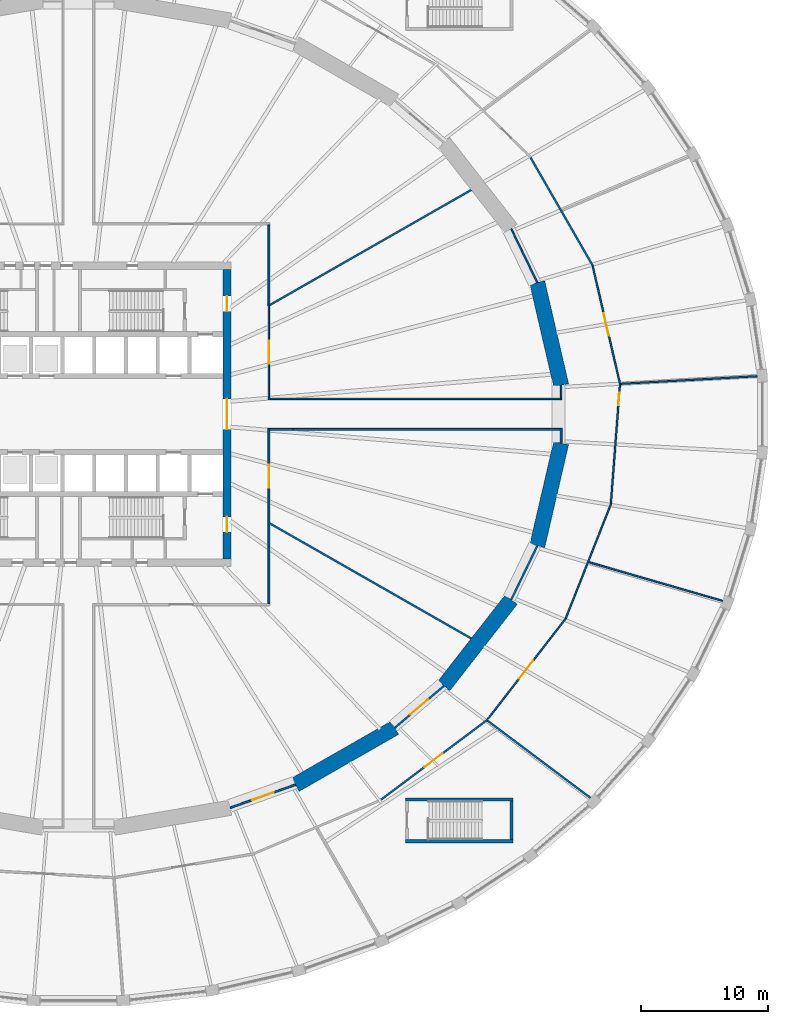
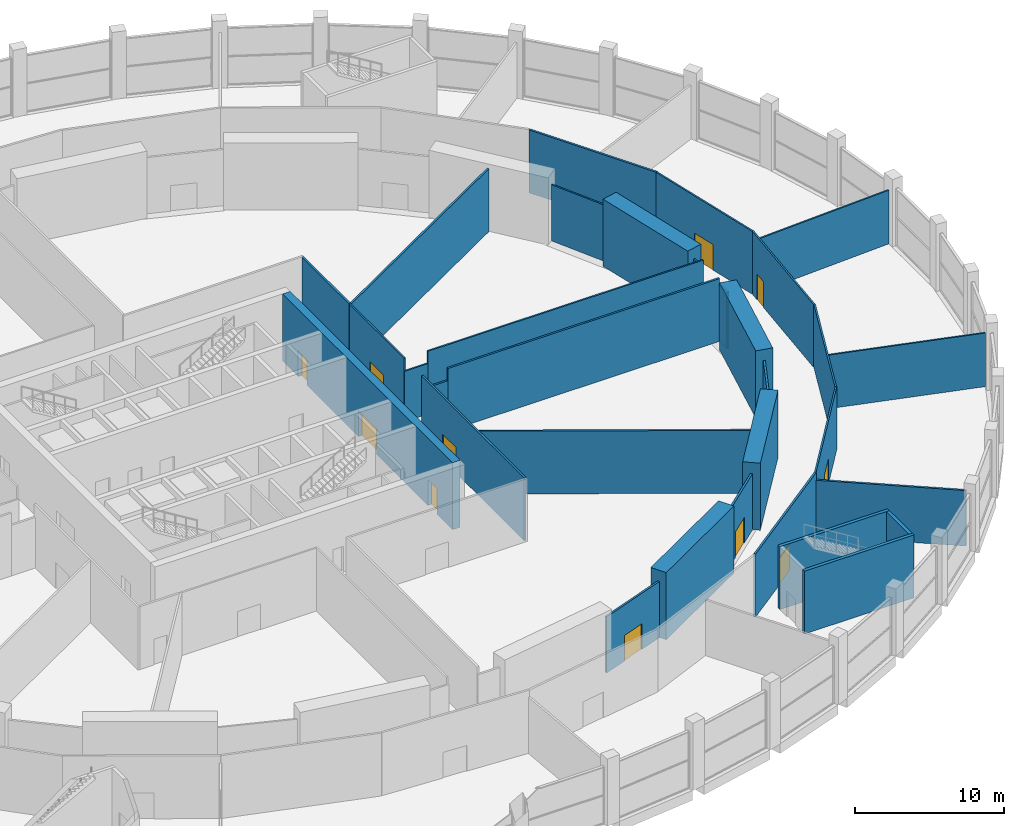
# One storey, part 23 of 29: 32 walls, 11 doors, 11 openings.
"""IFC4 building model written with IfcOpenShell, lengths in metres."""

from ifc_helpers import new_model, si_unit, direction, frame, frame_2d, origin, place, context, subcontext, project, spatial, polyline, rectangle, outline, extrude, material, layer, layer_set, type_object, element, fill, save


model = new_model("IFC4")

# Units and contexts
model_context = context("Model", 3, precision=1e-05, world=origin(), true_north=direction((0.0, 1.0)))
body_context = subcontext(model_context, "Body", "Model", "MODEL_VIEW")
ifc_project = project(units=[si_unit("LENGTHUNIT", "METRE"), si_unit("AREAUNIT", "SQUARE_METRE"), si_unit("VOLUMEUNIT", "CUBIC_METRE"), si_unit("PLANEANGLEUNIT", "RADIAN"), si_unit("MASSUNIT", "GRAM", prefix="KILO")], contexts=[model_context])

# Site, building, storey
site_placement = place(None, origin())
site = spatial("IfcSite", under=ifc_project, at=site_placement, CompositionType="ELEMENT")
building_placement = place(site_placement, origin())
building = spatial("IfcBuilding", under=site, at=building_placement, Name="Halqa Exchange Tower", CompositionType="ELEMENT")
storey_placement = place(building_placement, frame((0.0, 0.0, 12.5)))
storey = spatial("IfcBuildingStorey", under=building, at=storey_placement, Name="L02", CompositionType="ELEMENT", Elevation=12.5)

# Wall
ifc_material_1 = material(Name="Gypsum board")
ifc_layer_1 = layer(ifc_material_1, 0.14990234375)
ifc_layer_set_1 = layer_set([ifc_layer_1], Name="Gypsum board")
wall_type_1 = type_object("IfcWallType", Name="Acoustic partition 150", PredefinedType="PARTITIONING", material=ifc_layer_set_1)
wall_1_placement = place(storey_placement, frame((15.06005859375, 8.59423828125, 0.0), z_axis=(0.0, 0.0, 1.0), x_axis=(0.868344118251, 0.495962188376, 0.0)))
element("IfcWall", 1, at=wall_1_placement, inside=storey, type_object=wall_type_1, Name="L02-PWL-063", PredefinedType="PARTITIONING", context=body_context, shape_type="SweptSolid", body=[
    extrude(outline(polyline([(0.0, -0.074951171875), (18.308349609375, -0.074951171875), (18.286865234375, 0.074951171875), (0.0, 0.074951171875), (0.0, -0.074951171875)])), origin(), (0.0, 0.0, 1.0), 5.14990234375),
])

# Wall, opening, door
ifc_material_2 = material(Name="Fire-rated gypsum board")
ifc_layer_2 = layer(ifc_material_2, 0.14990234375)
ifc_layer_set_2 = layer_set([ifc_layer_2], Name="Fire-rated gypsum board")
wall_type_2 = type_object("IfcWallType", Name="Fire partition EI 60 150", PredefinedType="PARTITIONING", material=ifc_layer_set_2)
wall_2_placement = place(storey_placement, frame((11.966796875, -31.01123046875, 0.0), z_axis=(0.0, 0.0, 1.0), x_axis=(0.942814385805, 0.333318217204, 0.0)))
wall_2 = element("IfcWall", 2, at=wall_2_placement, inside=storey, type_object=wall_type_2, Name="L02-PWL-055", PredefinedType="PARTITIONING", context=body_context, shape_type="SweptSolid", body=[
    extrude(outline(polyline([(-0.012939453125, -0.074951171875), (5.448486328125, -0.074951171875), (5.421142578125, 0.074951171875), (0.012939453125, 0.074951171875), (-0.012939453125, -0.074951171875)])), origin(), (0.0, 0.0, 1.0), 4.60009765625),
])
opening_1_placement = place(wall_2_placement, frame((1.81884765625, 0.0, 0.0)))
opening_1 = element("IfcOpeningElement", 3, at=opening_1_placement, cuts=wall_2, Name="Opening L02-12", PredefinedType="OPENING", context=body_context, shape_type="SweptSolid", body=[
    extrude(rectangle(XDim=1.800048828125, YDim=2.10009765625, at=frame_2d((0.89990234375, 1.050048828125))), frame((0.0, 0.0869140625, 0.0), z_axis=(0.0, -1.0, 0.0), x_axis=(1.0, 0.0, 0.0)), (0.0, 0.0, 1.0), 0.173828125),
])
ifc_material_3 = material(Name="Steel fire door leaf", Category="steel")
door_type_1 = type_object("IfcDoorType", Name="Fire door FD30S double 1800 x 2100", OperationType="DOUBLE_DOOR_SINGLE_SWING", PredefinedType="DOOR", material=ifc_material_3)
door_1_placement = place(opening_1_placement, origin())
door_1 = element("IfcDoor", 4, at=door_1_placement, inside=storey, type_object=door_type_1, Name="L02-IDR-012", OperationType="DOUBLE_DOOR_SINGLE_SWING", OverallHeight=2.10009765625, OverallWidth=1.800048828125, PredefinedType="DOOR", context=body_context, shape_type="SweptSolid", body=[
    extrude(rectangle(XDim=1.800048828125, YDim=2.10009765625, at=frame_2d((0.89990234375, 1.050048828125))), frame((0.0, 0.02490234375, 0.0), z_axis=(0.0, -1.0, 0.0), x_axis=(1.0, 0.0, 0.0)), (0.0, 0.0, 1.0), 0.050048828125),
])
fill(opening_1, door_1)

wall_3_placement = place(storey_placement, frame((15.0, -14.925048828125, 0.0), z_axis=(0.0, 0.0, 1.0), x_axis=(0.0, 1.0, 0.0)))
wall_3 = element("IfcWall", 5, at=wall_3_placement, inside=storey, type_object=wall_type_2, Name="L02-PWL-059", PredefinedType="PARTITIONING", context=body_context, shape_type="SweptSolid", body=[
    extrude(rectangle(XDim=13.800048828125, YDim=0.14990234375, at=frame_2d((6.89990234375, 0.0))), origin(), (0.0, 0.0, 1.0), 5.14990234375),
])
opening_2_placement = place(wall_3_placement, frame((9.142578125, 0.0, 0.0)))
opening_2 = element("IfcOpeningElement", 6, at=opening_2_placement, cuts=wall_3, Name="Opening L02-14", PredefinedType="OPENING", context=body_context, shape_type="SweptSolid", body=[
    extrude(rectangle(XDim=1.800048828125, YDim=2.10009765625, at=frame_2d((0.89990234375, 1.050048828125))), frame((0.0, 0.0869140625, 0.0), z_axis=(0.0, -1.0, 0.0), x_axis=(1.0, 0.0, 0.0)), (0.0, 0.0, 1.0), 0.173828125),
])
door_2_placement = place(opening_2_placement, frame((1.800048828125, 0.0, 0.0), z_axis=(0.0, 0.0, 1.0), x_axis=(-1.0, 0.0, 0.0)))
door_2 = element("IfcDoor", 7, at=door_2_placement, inside=storey, type_object=door_type_1, Name="L02-IDR-014", OperationType="DOUBLE_DOOR_SINGLE_SWING", OverallHeight=2.10009765625, OverallWidth=1.800048828125, PredefinedType="DOOR", context=body_context, shape_type="SweptSolid", body=[
    extrude(rectangle(XDim=1.800048828125, YDim=2.10009765625, at=frame_2d((0.89990234375, 1.050048828125))), frame((0.0, 0.02490234375, 0.0), z_axis=(0.0, -1.0, 0.0), x_axis=(1.0, 0.0, 0.0)), (0.0, 0.0, 1.0), 0.050048828125),
])
fill(opening_2, door_2)

# Walls
wall_4_placement = place(storey_placement, frame((15.07421875, -8.602294921875, 0.0), z_axis=(0.0, 0.0, 1.0), x_axis=(0.868343386691, -0.495963469209, 0.0)))
element("IfcWall", 8, at=wall_4_placement, inside=storey, type_object=wall_type_2, Name="L02-PWL-060", PredefinedType="PARTITIONING", context=body_context, shape_type="SweptSolid", body=[
    extrude(outline(polyline([(0.042724609375, -0.074951171875), (18.270751953125, -0.074951171875), (18.292236328125, 0.074951171875), (-0.042724609375, 0.074951171875), (0.042724609375, -0.074951171875)])), origin(), (0.0, 0.0, 1.0), 5.14990234375),
])
wall_5_placement = place(storey_placement, frame((15.0, 14.925048828125, 0.0), z_axis=(0.0, 0.0, 1.0), x_axis=(0.0, -1.0, 0.0)))
element("IfcWall", 9, at=wall_5_placement, inside=storey, type_object=wall_type_2, Name="L02-PWL-064", PredefinedType="PARTITIONING", context=body_context, shape_type="SweptSolid", body=[
    extrude(rectangle(XDim=6.364990234375, YDim=0.14990234375, at=frame_2d((3.1826171875, 0.0))), origin(), (0.0, 0.0, 1.0), 5.14990234375),
])

# Wall, opening, door
wall_6_placement = place(storey_placement, frame((24.931884765625, -24.70849609375, 0.0), z_axis=(0.0, 0.0, 1.0), x_axis=(0.760084552743, 0.649824185978, 0.0)))
wall_6 = element("IfcWall", 10, at=wall_6_placement, inside=storey, type_object=wall_type_2, Name="L02-PWL-069", PredefinedType="PARTITIONING", context=body_context, shape_type="SweptSolid", body=[
    extrude(outline(polyline([(-0.01416015625, -0.074951171875), (5.09033203125, -0.074951171875), (5.0595703125, 0.074951171875), (0.01416015625, 0.074951171875), (-0.01416015625, -0.074951171875)])), origin(), (0.0, 0.0, 1.0), 4.60009765625),
])
opening_3_placement = place(wall_6_placement, frame((1.63671875, 0.0, 0.0)))
opening_3 = element("IfcOpeningElement", 11, at=opening_3_placement, cuts=wall_6, Name="Opening L02-13", PredefinedType="OPENING", context=body_context, shape_type="SweptSolid", body=[
    extrude(rectangle(XDim=1.800048828125, YDim=2.10009765625, at=frame_2d((0.89990234375, 1.050048828125))), frame((0.0, 0.0869140625, 0.0), z_axis=(0.0, -1.0, 0.0), x_axis=(1.0, 0.0, 0.0)), (0.0, 0.0, 1.0), 0.173828125),
])
door_3_placement = place(opening_3_placement, origin())
door_3 = element("IfcDoor", 12, at=door_3_placement, inside=storey, type_object=door_type_1, Name="L02-IDR-013", OperationType="DOUBLE_DOOR_SINGLE_SWING", OverallHeight=2.10009765625, OverallWidth=1.800048828125, PredefinedType="DOOR", context=body_context, shape_type="SweptSolid", body=[
    extrude(rectangle(XDim=1.800048828125, YDim=2.10009765625, at=frame_2d((0.89990234375, 1.050048828125))), frame((0.0, 0.02490234375, 0.0), z_axis=(0.0, -1.0, 0.0), x_axis=(1.0, 0.0, 0.0)), (0.0, 0.0, 1.0), 0.050048828125),
])
fill(opening_3, door_3)

wall_7_placement = place(storey_placement, frame((32.184326171875, -24.09912109375, 0.0), z_axis=(0.0, 0.0, 1.0), x_axis=(-0.799200371747, -0.601064693523, 0.0)))
wall_7 = element("IfcWall", 13, at=wall_7_placement, inside=storey, type_object=wall_type_2, Name="L02-PWL-072", PredefinedType="PARTITIONING", context=body_context, shape_type="SweptSolid", body=[
    extrude(rectangle(XDim=10.41455078125, YDim=0.14990234375, at=frame_2d((5.207275390625, 0.0))), origin(), (0.0, 0.0, 1.0), 5.14990234375),
])
opening_4_placement = place(wall_7_placement, frame((4.366943359375, 0.0, 0.0)))
opening_4 = element("IfcOpeningElement", 14, at=opening_4_placement, cuts=wall_7, Name="Opening L02-18", PredefinedType="OPENING", context=body_context, shape_type="SweptSolid", body=[
    extrude(rectangle(XDim=1.800048828125, YDim=2.10009765625, at=frame_2d((0.89990234375, 1.050048828125))), frame((0.0, 0.0869140625, 0.0), z_axis=(0.0, -1.0, 0.0), x_axis=(1.0, 0.0, 0.0)), (0.0, 0.0, 1.0), 0.173828125),
])
door_4_placement = place(opening_4_placement, origin())
door_4 = element("IfcDoor", 15, at=door_4_placement, inside=storey, type_object=door_type_1, Name="L02-IDR-018", OperationType="DOUBLE_DOOR_SINGLE_SWING", OverallHeight=2.10009765625, OverallWidth=1.800048828125, PredefinedType="DOOR", context=body_context, shape_type="SweptSolid", body=[
    extrude(rectangle(XDim=1.800048828125, YDim=2.10009765625, at=frame_2d((0.89990234375, 1.050048828125))), frame((0.0, 0.02490234375, 0.0), z_axis=(0.0, -1.0, 0.0), x_axis=(1.0, 0.0, 0.0)), (0.0, 0.0, 1.0), 0.050048828125),
])
fill(opening_4, door_4)

# Walls
wall_8_placement = place(storey_placement, frame((32.219970703125, -24.1474609375, 0.0), z_axis=(0.0, 0.0, 1.0), x_axis=(0.800470661187, -0.599371938431, 0.0)))
element("IfcWall", 16, at=wall_8_placement, inside=storey, type_object=wall_type_2, Name="L02-PWL-073", PredefinedType="PARTITIONING", context=body_context, shape_type="SweptSolid", body=[
    extrude(outline(polyline([(0.0, -0.074951171875), (10.129150390625, -0.074951171875), (10.152587890625, 0.074951171875), (0.0, 0.074951171875), (0.0, -0.074951171875)])), origin(), (0.0, 0.0, 1.0), 4.550048828125),
])
wall_9_placement = place(storey_placement, frame((34.1005859375, -14.608642578125, 0.0), z_axis=(0.0, 0.0, 1.0), x_axis=(0.436102687495, 0.899896908518, 0.0)))
element("IfcWall", 17, at=wall_9_placement, inside=storey, type_object=wall_type_2, Name="L02-PWL-074", PredefinedType="PARTITIONING", context=body_context, shape_type="SweptSolid", body=[
    extrude(outline(polyline([(-0.01611328125, -0.074951171875), (4.71630859375, -0.074951171875), (4.68212890625, 0.074951171875), (0.01611328125, 0.074951171875), (-0.01611328125, -0.074951171875)])), origin(), (0.0, 0.0, 1.0), 4.60009765625),
])
wall_10_placement = place(storey_placement, frame((35.623779296875, 20.21630859375, 0.0), z_axis=(0.0, 0.0, 1.0), x_axis=(0.49865472402, -0.866800707321, 0.0)))
element("IfcWall", 18, at=wall_10_placement, inside=storey, type_object=wall_type_2, Name="L02-PWL-075", PredefinedType="PARTITIONING", context=body_context, shape_type="SweptSolid", body=[
    extrude(rectangle(XDim=9.867919921875, YDim=0.14990234375, at=frame_2d((4.93408203125, 0.0))), origin(), (0.0, 0.0, 1.0), 5.14990234375),
])
wall_11_placement = place(storey_placement, frame((38.030029296875, -2.267578125, 0.0), z_axis=(0.0, 0.0, 1.0), x_axis=(0.0, 1.0, 0.0)))
element("IfcWall", 19, at=wall_11_placement, inside=storey, type_object=wall_type_2, Name="L02-PWL-077", PredefinedType="PARTITIONING", context=body_context, shape_type="SweptSolid", body=[
    extrude(outline(polyline([(-0.017333984375, -0.074951171875), (1.142578125, -0.074951171875), (1.142578125, 0.074951171875), (0.017333984375, 0.074951171875), (-0.017333984375, -0.074951171875)])), origin(), (0.0, 0.0, 1.0), 4.60009765625),
])
wall_12_placement = place(storey_placement, frame((37.955078125, -1.199951171875, 0.0), z_axis=(0.0, 0.0, 1.0), x_axis=(-1.0, 0.0, 0.0)))
element("IfcWall", 20, at=wall_12_placement, inside=storey, type_object=wall_type_2, Name="L02-PWL-078", PredefinedType="PARTITIONING", context=body_context, shape_type="SweptSolid", body=[
    extrude(rectangle(XDim=21.037109375, YDim=0.14990234375, at=frame_2d((10.5185546875, 0.0))), origin(), (0.0, 0.0, 1.0), 5.14990234375),
])
wall_13_placement = place(storey_placement, frame((16.91796875, -1.199951171875, 0.0), z_axis=(0.0, 0.0, 1.0), x_axis=(-1.0, 0.0, 0.0)))
element("IfcWall", 21, at=wall_13_placement, inside=storey, type_object=wall_type_2, Name="L02-PWL-091", PredefinedType="PARTITIONING", context=body_context, shape_type="SweptSolid", body=[
    extrude(rectangle(XDim=1.843017578125, YDim=0.14990234375, at=frame_2d((0.92138671875, 0.0))), origin(), (0.0, 0.0, 1.0), 4.14208984375),
])
ifc_material_4 = material(Name="Fire-rated glazing", Category="glass")
ifc_layer_3 = layer(ifc_material_4, 0.1201171875)
ifc_layer_set_3 = layer_set([ifc_layer_3], Name="Fire-rated glazing")
wall_type_3 = type_object("IfcWallType", Name="Glazed fire partition EI 60 120", PredefinedType="PARTITIONING", material=ifc_layer_set_3)
wall_14_placement = place(storey_placement, frame((14.93994140625, 1.199951171875, 0.0), z_axis=(0.0, 0.0, 1.0), x_axis=(1.0, 0.0, 0.0)))
element("IfcWall", 22, at=wall_14_placement, inside=storey, type_object=wall_type_3, Name="L02-PWL-061", PredefinedType="PARTITIONING", context=body_context, shape_type="SweptSolid", body=[
    extrude(rectangle(XDim=1.80029296875, YDim=0.1201171875, at=frame_2d((0.900146484375, 0.0))), origin(), (0.0, 0.0, 1.0), 4.14208984375),
])

# Wall, opening, door
wall_15_placement = place(storey_placement, frame((15.0, 8.646484375, 0.0), z_axis=(0.0, 0.0, 1.0), x_axis=(0.0, -1.0, 0.0)))
wall_15 = element("IfcWall", 23, at=wall_15_placement, inside=storey, type_object=wall_type_3, Name="L02-PWL-062", PredefinedType="PARTITIONING", context=body_context, shape_type="SweptSolid", body=[
    extrude(rectangle(XDim=7.386474609375, YDim=0.1201171875, at=frame_2d((3.693359375, 0.0))), origin(), (0.0, 0.0, 1.0), 5.14990234375),
])
opening_5_placement = place(wall_15_placement, frame((2.864013671875, 0.0, 0.0)))
opening_5 = element("IfcOpeningElement", 24, at=opening_5_placement, cuts=wall_15, Name="Opening L02-01", PredefinedType="OPENING", context=body_context, shape_type="SweptSolid", body=[
    extrude(rectangle(XDim=1.800048828125, YDim=2.10009765625, at=frame_2d((0.89990234375, 1.050048828125))), frame((0.0, 0.072021484375, 0.0), z_axis=(0.0, -1.0, 0.0), x_axis=(1.0, 0.0, 0.0)), (0.0, 0.0, 1.0), 0.14404296875),
])
door_5_placement = place(opening_5_placement, origin())
door_5 = element("IfcDoor", 25, at=door_5_placement, inside=storey, type_object=door_type_1, Name="L02-IDR-001", OperationType="DOUBLE_DOOR_SINGLE_SWING", OverallHeight=2.10009765625, OverallWidth=1.800048828125, PredefinedType="DOOR", context=body_context, shape_type="SweptSolid", body=[
    extrude(rectangle(XDim=1.800048828125, YDim=2.10009765625, at=frame_2d((0.89990234375, 1.050048828125))), frame((0.0, 0.02490234375, 0.0), z_axis=(0.0, -1.0, 0.0), x_axis=(1.0, 0.0, 0.0)), (0.0, 0.0, 1.0), 0.050048828125),
])
fill(opening_5, door_5)

# Walls
wall_16_placement = place(storey_placement, frame((36.14990234375, 10.3798828125, 0.0), z_axis=(0.0, 0.0, 1.0), x_axis=(-0.436936398764, 0.899492403212, 0.0)))
element("IfcWall", 26, at=wall_16_placement, inside=storey, type_object=wall_type_3, Name="L02-PWL-076", PredefinedType="PARTITIONING", context=body_context, shape_type="SweptSolid", body=[
    extrude(outline(polyline([(-0.013671875, -0.06005859375), (4.710693359375, -0.06005859375), (4.685302734375, 0.06005859375), (0.013671875, 0.06005859375), (-0.013671875, -0.06005859375)])), origin(), (0.0, 0.0, 1.0), 4.60009765625),
])
wall_17_placement = place(storey_placement, frame((38.030029296875, 1.260009765625, 0.0), z_axis=(0.0, 0.0, 1.0), x_axis=(0.0, 1.0, 0.0)))
element("IfcWall", 27, at=wall_17_placement, inside=storey, type_object=wall_type_3, Name="L02-PWL-079", PredefinedType="PARTITIONING", context=body_context, shape_type="SweptSolid", body=[
    extrude(outline(polyline([(0.0, -0.06005859375), (1.021484375, -0.06005859375), (0.99365234375, 0.06005859375), (0.0, 0.06005859375), (0.0, -0.06005859375)])), origin(), (0.0, 0.0, 1.0), 4.60009765625),
])

# Wall, opening, door
wall_18_placement = place(storey_placement, frame((38.410888671875, -16.094482421875, 0.0), z_axis=(0.0, 0.0, 1.0), x_axis=(-0.614343896728, -0.78903838725, 0.0)))
wall_18 = element("IfcWall", 28, at=wall_18_placement, inside=storey, type_object=wall_type_3, Name="L02-PWL-081", PredefinedType="PARTITIONING", context=body_context, shape_type="SweptSolid", body=[
    extrude(rectangle(XDim=10.140380859375, YDim=0.1201171875, at=frame_2d((5.0703125, 0.0))), origin(), (0.0, 0.0, 1.0), 5.14990234375),
])
opening_6_placement = place(wall_18_placement, frame((4.220703125, 0.0, 0.0)))
opening_6 = element("IfcOpeningElement", 29, at=opening_6_placement, cuts=wall_18, Name="Opening L02-28", PredefinedType="OPENING", context=body_context, shape_type="SweptSolid", body=[
    extrude(rectangle(XDim=1.800048828125, YDim=2.10009765625, at=frame_2d((0.89990234375, 1.050048828125))), frame((0.0, 0.072021484375, 0.0), z_axis=(0.0, -1.0, 0.0), x_axis=(1.0, 0.0, 0.0)), (0.0, 0.0, 1.0), 0.14404296875),
])
door_6_placement = place(opening_6_placement, origin())
door_6 = element("IfcDoor", 30, at=door_6_placement, inside=storey, type_object=door_type_1, Name="L02-IDR-028", OperationType="DOUBLE_DOOR_SINGLE_SWING", OverallHeight=2.10009765625, OverallWidth=1.800048828125, PredefinedType="DOOR", context=body_context, shape_type="SweptSolid", body=[
    extrude(rectangle(XDim=1.800048828125, YDim=2.10009765625, at=frame_2d((0.89990234375, 1.050048828125))), frame((0.0, 0.02490234375, 0.0), z_axis=(0.0, -1.0, 0.0), x_axis=(1.0, 0.0, 0.0)), (0.0, 0.0, 1.0), 0.050048828125),
])
fill(opening_6, door_6)

# Walls
wall_19_placement = place(storey_placement, frame((38.3916015625, -16.08056640625, 0.0), z_axis=(0.0, 0.0, 1.0), x_axis=(0.368546722622, 0.929609226097, 0.0)))
element("IfcWall", 31, at=wall_19_placement, inside=storey, type_object=wall_type_3, Name="L02-PWL-082", PredefinedType="PARTITIONING", context=body_context, shape_type="SweptSolid", body=[
    extrude(rectangle(XDim=9.71533203125, YDim=0.1201171875, at=frame_2d((4.857666015625, 0.0))), origin(), (0.0, 0.0, 1.0), 5.14990234375),
])
wall_20_placement = place(storey_placement, frame((40.208984375, -11.656982421875, 0.0), z_axis=(0.0, 0.0, 1.0), x_axis=(0.960434781241, -0.278504992743, 0.0)))
element("IfcWall", 32, at=wall_20_placement, inside=storey, type_object=wall_type_3, Name="L02-PWL-083", PredefinedType="PARTITIONING", context=body_context, shape_type="SweptSolid", body=[
    extrude(outline(polyline([(-0.005615234375, -0.06005859375), (10.98974609375, -0.06005859375), (11.0009765625, 0.06005859375), (0.005615234375, 0.06005859375), (-0.005615234375, -0.06005859375)])), origin(), (0.0, 0.0, 1.0), 4.39697265625),
])

# Wall, opening, door
wall_21_placement = place(storey_placement, frame((40.520751953125, 11.650390625, 0.0), z_axis=(0.0, 0.0, 1.0), x_axis=(0.226075864332, -0.974109697912, 0.0)))
wall_21 = element("IfcWall", 33, at=wall_21_placement, inside=storey, type_object=wall_type_3, Name="L02-PWL-085", PredefinedType="PARTITIONING", context=body_context, shape_type="SweptSolid", body=[
    extrude(rectangle(XDim=9.52685546875, YDim=0.1201171875, at=frame_2d((4.763427734375, 0.0))), origin(), (0.0, 0.0, 1.0), 5.14990234375),
])
opening_7_placement = place(wall_21_placement, frame((3.807373046875, 0.0, 0.0)))
opening_7 = element("IfcOpeningElement", 34, at=opening_7_placement, cuts=wall_21, Name="Opening L02-19", PredefinedType="OPENING", context=body_context, shape_type="SweptSolid", body=[
    extrude(rectangle(XDim=1.800048828125, YDim=2.10009765625, at=frame_2d((0.89990234375, 1.050048828125))), frame((0.0, 0.072021484375, 0.0), z_axis=(0.0, -1.0, 0.0), x_axis=(1.0, 0.0, 0.0)), (0.0, 0.0, 1.0), 0.14404296875),
])
door_7_placement = place(opening_7_placement, origin())
door_7 = element("IfcDoor", 35, at=door_7_placement, inside=storey, type_object=door_type_1, Name="L02-IDR-019", OperationType="DOUBLE_DOOR_SINGLE_SWING", OverallHeight=2.10009765625, OverallWidth=1.800048828125, PredefinedType="DOOR", context=body_context, shape_type="SweptSolid", body=[
    extrude(rectangle(XDim=1.800048828125, YDim=2.10009765625, at=frame_2d((0.89990234375, 1.050048828125))), frame((0.0, 0.02490234375, 0.0), z_axis=(0.0, -1.0, 0.0), x_axis=(1.0, 0.0, 0.0)), (0.0, 0.0, 1.0), 0.050048828125),
])
fill(opening_7, door_7)

wall_22_placement = place(storey_placement, frame((41.947021484375, -7.039794921875, 0.0), z_axis=(0.0, 0.0, 1.0), x_axis=(0.076437580216, 0.997074368506, 0.0)))
wall_22 = element("IfcWall", 36, at=wall_22_placement, inside=storey, type_object=wall_type_3, Name="L02-PWL-086", PredefinedType="PARTITIONING", context=body_context, shape_type="SweptSolid", body=[
    extrude(rectangle(XDim=9.51806640625, YDim=0.1201171875, at=frame_2d((4.759033203125, 0.0))), origin(), (0.0, 0.0, 1.0), 5.14990234375),
])
opening_8_placement = place(wall_22_placement, frame((7.7587890625, 0.0, 0.0)))
opening_8 = element("IfcOpeningElement", 37, at=opening_8_placement, cuts=wall_22, Name="Opening L02-29", PredefinedType="OPENING", context=body_context, shape_type="SweptSolid", body=[
    extrude(rectangle(XDim=1.0, YDim=2.10009765625, at=frame_2d((0.5, 1.050048828125))), frame((0.0, 0.072021484375, 0.0), z_axis=(0.0, -1.0, 0.0), x_axis=(1.0, 0.0, 0.0)), (0.0, 0.0, 1.0), 0.14404296875),
])
door_type_2 = type_object("IfcDoorType", Name="Fire door FD30S 1000 x 2100", OperationType="SINGLE_SWING_LEFT", PredefinedType="DOOR", material=ifc_material_3)
door_8_placement = place(opening_8_placement, frame((1.0, 0.0, 0.0), z_axis=(0.0, 0.0, 1.0), x_axis=(-1.0, 0.0, 0.0)))
door_8 = element("IfcDoor", 38, at=door_8_placement, inside=storey, type_object=door_type_2, Name="L02-IDR-029", OperationType="SINGLE_SWING_RIGHT", OverallHeight=2.10009765625, OverallWidth=1.0, PredefinedType="DOOR", context=body_context, shape_type="SweptSolid", body=[
    extrude(rectangle(XDim=1.0, YDim=2.10009765625, at=frame_2d((0.5, 1.050048828125))), frame((0.0, 0.02490234375, 0.0), z_axis=(0.0, -1.0, 0.0), x_axis=(1.0, 0.0, 0.0)), (0.0, 0.0, 1.0), 0.050048828125),
])
fill(opening_8, door_8)

# Walls
wall_23_placement = place(storey_placement, frame((53.48681640625, 2.991943359375, 0.0), z_axis=(0.0, 0.0, 1.0), x_axis=(-0.998454909458, -0.055567920423, 0.0)))
element("IfcWall", 39, at=wall_23_placement, inside=storey, type_object=wall_type_3, Name="L02-PWL-087", PredefinedType="PARTITIONING", context=body_context, shape_type="SweptSolid", body=[
    extrude(outline(polyline([(0.001220703125, -0.06005859375), (10.77294921875, -0.06005859375), (10.77294921875, 0.06005859375), (-0.001220703125, 0.06005859375), (0.001220703125, -0.06005859375)])), origin(), (0.0, 0.0, 1.0), 4.39697265625),
])
wall_24_placement = place(storey_placement, frame((16.740234375, 1.199951171875, 0.0), z_axis=(0.0, 0.0, 1.0), x_axis=(1.0, 0.0, 0.0)))
element("IfcWall", 40, at=wall_24_placement, inside=storey, type_object=wall_type_3, Name="L02-PWL-090", PredefinedType="PARTITIONING", context=body_context, shape_type="SweptSolid", body=[
    extrude(rectangle(XDim=21.349853515625, YDim=0.1201171875, at=frame_2d((10.6748046875, 0.0))), origin(), (0.0, 0.0, 1.0), 5.14990234375),
])

# Wall, openings, doors
ifc_material_5 = material(Name="Concrete C80/95", Category="concrete")
ifc_layer_4 = layer(ifc_material_5, 0.60009765625)
ifc_layer_set_4 = layer_set([ifc_layer_4], Name="Concrete C80/95")
wall_type_4 = type_object("IfcWallType", Name="RC core wall 600 C80/95", PredefinedType="SHEAR", material=ifc_layer_set_4)
wall_25_placement = place(storey_placement, frame((11.699951171875, -11.39990234375, 0.0), z_axis=(0.0, 0.0, 1.0), x_axis=(0.0, 1.0, 0.0)))
wall_25 = element("IfcWall", 41, at=wall_25_placement, inside=storey, type_object=wall_type_4, Name="Core wall east", PredefinedType="SHEAR", context=body_context, shape_type="SweptSolid", body=[
    extrude(rectangle(XDim=22.7998046875, YDim=0.60009765625, at=frame_2d((11.39990234375, 0.0))), origin(), (0.0, 0.0, 1.0), 5.5),
])
opening_9_placement = place(wall_25_placement, frame((10.199951171875, 0.0, 0.0)))
opening_9 = element("IfcOpeningElement", 42, at=opening_9_placement, cuts=wall_25, Name="Opening L02-C14", PredefinedType="OPENING", context=body_context, shape_type="SweptSolid", body=[
    extrude(rectangle(XDim=2.39990234375, YDim=2.10009765625, at=frame_2d((1.199951171875, 1.050048828125))), frame((0.0, 0.31201171875, 0.0), z_axis=(0.0, -1.0, 0.0), x_axis=(1.0, 0.0, 0.0)), (0.0, 0.0, 1.0), 0.6240234375),
])
opening_10_placement = place(wall_25_placement, frame((19.5, 0.0, 0.0)))
opening_10 = element("IfcOpeningElement", 43, at=opening_10_placement, cuts=wall_25, Name="Opening L02-C23", PredefinedType="OPENING", context=body_context, shape_type="SweptSolid", body=[
    extrude(rectangle(XDim=1.199951171875, YDim=2.10009765625, at=frame_2d((0.60009765625, 1.050048828125))), frame((0.0, 0.31201171875, 0.0), z_axis=(0.0, -1.0, 0.0), x_axis=(1.0, 0.0, 0.0)), (0.0, 0.0, 1.0), 0.6240234375),
])
opening_11_placement = place(wall_25_placement, frame((2.10009765625, 0.0, 0.0)))
opening_11 = element("IfcOpeningElement", 44, at=opening_11_placement, cuts=wall_25, Name="Opening L02-C24", PredefinedType="OPENING", context=body_context, shape_type="SweptSolid", body=[
    extrude(rectangle(XDim=1.199951171875, YDim=2.10009765625, at=frame_2d((0.60009765625, 1.050048828125))), frame((0.0, 0.31201171875, 0.0), z_axis=(0.0, -1.0, 0.0), x_axis=(1.0, 0.0, 0.0)), (0.0, 0.0, 1.0), 0.6240234375),
])
door_type_3 = type_object("IfcDoorType", Name="Firefighting lobby door FD90 1200 x 2100", OperationType="SINGLE_SWING_RIGHT", PredefinedType="DOOR", material=ifc_material_3)
door_9_placement = place(opening_10_placement, origin())
door_9 = element("IfcDoor", 45, at=door_9_placement, inside=storey, type_object=door_type_3, Name="Firefighting lobby door", OperationType="SINGLE_SWING_RIGHT", OverallHeight=2.10009765625, OverallWidth=1.199951171875, PredefinedType="DOOR", context=body_context, shape_type="SweptSolid", body=[
    extrude(rectangle(XDim=1.199951171875, YDim=2.10009765625, at=frame_2d((0.60009765625, 1.050048828125))), frame((0.0, 0.02490234375, 0.0), z_axis=(0.0, -1.0, 0.0), x_axis=(1.0, 0.0, 0.0)), (0.0, 0.0, 1.0), 0.050048828125),
])
fill(opening_10, door_9)
door_10_placement = place(opening_11_placement, origin())
door_10 = element("IfcDoor", 46, at=door_10_placement, inside=storey, type_object=door_type_3, Name="Firefighting lobby door", OperationType="SINGLE_SWING_LEFT", OverallHeight=2.10009765625, OverallWidth=1.199951171875, PredefinedType="DOOR", context=body_context, shape_type="SweptSolid", body=[
    extrude(rectangle(XDim=1.199951171875, YDim=2.10009765625, at=frame_2d((0.60009765625, 1.050048828125))), frame((0.0, 0.02490234375, 0.0), z_axis=(0.0, -1.0, 0.0), x_axis=(1.0, 0.0, 0.0)), (0.0, 0.0, 1.0), 0.050048828125),
])
fill(opening_11, door_10)
door_type_4 = type_object("IfcDoorType", Name="Lobby double door FD60 2400 x 2100", OperationType="DOUBLE_DOOR_SINGLE_SWING", PredefinedType="DOOR", material=ifc_material_3)
door_11_placement = place(opening_9_placement, frame((2.39990234375, 0.0, 0.0), z_axis=(0.0, 0.0, 1.0), x_axis=(-1.0, 0.0, 0.0)))
door_11 = element("IfcDoor", 47, at=door_11_placement, inside=storey, type_object=door_type_4, Name="Lift lobby double door", OperationType="DOUBLE_DOOR_SINGLE_SWING", OverallHeight=2.10009765625, OverallWidth=2.39990234375, PredefinedType="DOOR", context=body_context, shape_type="SweptSolid", body=[
    extrude(rectangle(XDim=2.39990234375, YDim=2.10009765625, at=frame_2d((1.199951171875, 1.050048828125))), frame((0.0, 0.02490234375, 0.0), z_axis=(0.0, -1.0, 0.0), x_axis=(1.0, 0.0, 0.0)), (0.0, 0.0, 1.0), 0.050048828125),
])
fill(opening_9, door_11)

# Walls
ifc_layer_5 = layer(ifc_material_5, 1.199951171875)
ifc_layer_set_5 = layer_set([ifc_layer_5], Name="Concrete C80/95")
wall_type_5 = type_object("IfcWallType", Name="RC ring pier 1200 C80/95", PredefinedType="SHEAR", material=ifc_layer_set_5)
wall_26_placement = place(storey_placement, frame((38.03173828125, 2.26708984375, 0.0), z_axis=(0.0, 0.0, 1.0), x_axis=(-0.226058185805, 0.974113800657, 0.0)))
element("IfcWall", 48, at=wall_26_placement, inside=storey, type_object=wall_type_5, Name="Ring pier 1", PredefinedType="SHEAR", context=body_context, shape_type="SweptSolid", body=[
    extrude(rectangle(XDim=8.328857421875, YDim=1.199951171875, at=frame_2d((4.16455078125, 0.0))), origin(), (0.0, 0.0, 1.0), 5.5),
])
wall_27_placement = place(storey_placement, frame((17.088623046875, -29.197509765625, 0.0), z_axis=(0.0, 0.0, 1.0), x_axis=(0.867760656864, 0.496982336103, 0.0)))
element("IfcWall", 49, at=wall_27_placement, inside=storey, type_object=wall_type_5, Name="Ring pier 14", PredefinedType="SHEAR", context=body_context, shape_type="SweptSolid", body=[
    extrude(rectangle(XDim=9.037841796875, YDim=1.199951171875, at=frame_2d((4.51904296875, 0.0))), origin(), (0.0, 0.0, 1.0), 5.5),
])
wall_28_placement = place(storey_placement, frame((28.790283203125, -21.412353515625, 0.0), z_axis=(0.0, 0.0, 1.0), x_axis=(0.614825322247, 0.788663314174, 0.0)))
element("IfcWall", 50, at=wall_28_placement, inside=storey, type_object=wall_type_5, Name="Ring pier 15", PredefinedType="SHEAR", context=body_context, shape_type="SweptSolid", body=[
    extrude(rectangle(XDim=8.631591796875, YDim=1.199951171875, at=frame_2d((4.31591796875, 0.0))), origin(), (0.0, 0.0, 1.0), 5.5),
])
wall_29_placement = place(storey_placement, frame((36.14892578125, -10.38037109375, 0.0), z_axis=(0.0, 0.0, 1.0), x_axis=(0.226058185805, 0.974113800657, 0.0)))
element("IfcWall", 51, at=wall_29_placement, inside=storey, type_object=wall_type_5, Name="Ring pier 16", PredefinedType="SHEAR", context=body_context, shape_type="SweptSolid", body=[
    extrude(rectangle(XDim=8.328857421875, YDim=1.199951171875, at=frame_2d((4.16455078125, 0.0))), origin(), (0.0, 0.0, 1.0), 5.5),
])
ifc_material_6 = material(Name="Concrete C30/37", Category="concrete")
ifc_layer_6 = layer(ifc_material_6, 0.25)
ifc_layer_set_6 = layer_set([ifc_layer_6], Name="Concrete C30/37")
wall_type_6 = type_object("IfcWallType", Name="RC stair wall 250 C30/37", PredefinedType="SHEAR", material=ifc_layer_set_6)
for number, where, z_axis, x_axis, name in (
    (52, (25.75, -30.35009765625, 0.0), (0.0, 0.0, 1.0), (1.0, 0.0, 0.0), "Stair PS2 wall north"),
    (53, (25.75, -33.64990234375, 0.0), (0.0, 0.0, 1.0), (1.0, 0.0, 0.0), "Stair PS2 wall south"),
):
    element("IfcWall", number, at=place(storey_placement, frame(where, z_axis=z_axis, x_axis=x_axis)), inside=storey, type_object=wall_type_6, Name=name, PredefinedType="SHEAR", context=body_context, shape_type="SweptSolid", body=[
        extrude(rectangle(XDim=8.5, YDim=0.25, at=frame_2d((4.25, 0.0))), origin(), (0.0, 0.0, 1.0), 5.14990234375),
    ])
wall_30_placement = place(storey_placement, frame((34.125, -33.52490234375, 0.0), z_axis=(0.0, 0.0, 1.0), x_axis=(0.0, 1.0, 0.0)))
element("IfcWall", 54, at=wall_30_placement, inside=storey, type_object=wall_type_6, Name="Stair PS2 wall east", PredefinedType="SHEAR", context=body_context, shape_type="SweptSolid", body=[
    extrude(rectangle(XDim=3.0498046875, YDim=0.25, at=frame_2d((1.52490234375, 0.0))), origin(), (0.0, 0.0, 1.0), 5.14990234375),
])

save(model, "model.ifc")
